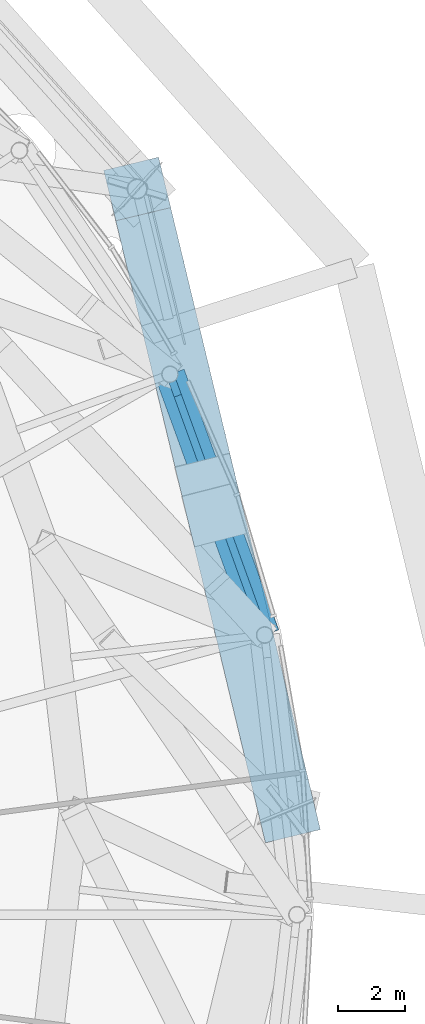
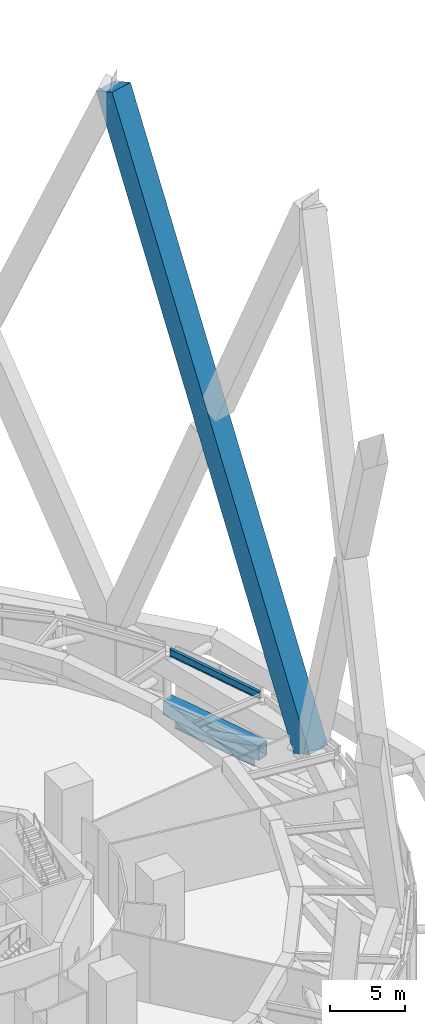
# One storey, part 29 of 51: 3 beams, 1 member.
"""IFC4 building model written with IfcOpenShell, lengths in metres."""

from ifc_helpers import new_model, si_unit, direction, frame, origin, origin_2d, place, context, subcontext, project, spatial, rectangle, hollow_rectangle, i_section, extrude, material, material_profile, profile_set, type_object, element, save


model = new_model("IFC4")

# Units and contexts
model_context = context("Model", 3, precision=1e-05, world=origin(), true_north=direction((0.0, 1.0)))
body_context = subcontext(model_context, "Body", "Model", "MODEL_VIEW")
ifc_project = project(units=[si_unit("LENGTHUNIT", "METRE"), si_unit("AREAUNIT", "SQUARE_METRE"), si_unit("VOLUMEUNIT", "CUBIC_METRE"), si_unit("PLANEANGLEUNIT", "RADIAN"), si_unit("MASSUNIT", "GRAM", prefix="KILO")], contexts=[model_context])

# Site, building, storey
site_placement = place(None, origin())
site = spatial("IfcSite", under=ifc_project, at=site_placement, CompositionType="ELEMENT")
building_placement = place(site_placement, origin())
building = spatial("IfcBuilding", under=site, at=building_placement, Name="Nagisa Residences", CompositionType="ELEMENT")
storey_placement = place(building_placement, frame((0.0, 0.0, 67.699951171875)))
storey = spatial("IfcBuildingStorey", under=building, at=storey_placement, Name="L16", CompositionType="ELEMENT", Elevation=67.699951171875)

# Beam
ifc_material_1 = material(Name="Steel ASTM A572 Gr 50", Category="steel")
ifc_material_profile_1 = material_profile(ifc_material_1, hollow_rectangle(XDim=0.89990234375, YDim=1.199951171875, WallThickness=0.050048828125, at=origin_2d()), Name="BX 900x1200x50")
ifc_profile_set_1 = profile_set([ifc_material_profile_1], Name="Steel ASTM A572 Gr 50")
beam_type_1 = type_object("IfcBeamType", Name="Belt chord 1 BX 900x1200x50", PredefinedType="BEAM", material=ifc_profile_set_1)
beam_1_placement = place(storey_placement, frame((31.12890625, 8.41162109375, 0.60009765625), z_axis=(-0.34140925968, 0.939914739434, 0.0), x_axis=(-0.939914739434, -0.34140925968, 0.0)))
element("IfcBeam", 1, at=beam_1_placement, inside=storey, type_object=beam_type_1, Name="beam:L16:bt1b02", PredefinedType="BEAM", context=body_context, shape_type="SweptSolid", body=[
    extrude(hollow_rectangle(XDim=0.89990234375, YDim=1.199951171875, WallThickness=0.050048828125, at=origin_2d()), origin(), (0.0, 0.0, 1.0), 8.33935546875),
])

# Member
ifc_material_2 = material(Name="Concrete C80", Category="concrete")
ifc_material_profile_2 = material_profile(ifc_material_2, rectangle(XDim=1.699951171875, YDim=1.699951171875, at=origin_2d()), Name="C80 1700x1700")
ifc_profile_set_2 = profile_set([ifc_material_profile_2], Name="Concrete C80")
member_type = type_object("IfcMemberType", Name="Cage diagonal 2 C80 1700x1700", PredefinedType="BRACE", material=ifc_profile_set_2)
member_placement = place(storey_placement, frame((31.794921875, 3.11767578125, 3.699951171875), z_axis=(-0.092833582363, 0.385867430548, 0.917871587984), x_axis=(-0.972258273749, -0.233909916693, 0.0)))
element("IfcMember", 2, at=member_placement, inside=storey, type_object=member_type, Name="mem:L16:cg2d001", PredefinedType="BRACE", context=body_context, shape_type="SweptSolid", body=[
    extrude(rectangle(XDim=1.699951171875, YDim=1.699951171875, at=origin_2d()), origin(), (0.0, 0.0, 1.0), 48.481689453125),
])

# Beams
ifc_material_3 = material(Name="Steel ASTM A572 Gr 50", Category="steel")
ifc_material_profile_3 = material_profile(ifc_material_3, i_section(OverallWidth=0.22802734375, OverallDepth=0.60302734375, WebThickness=0.010498046875, FlangeThickness=0.014892578125, at=origin_2d()), Name="W610x101")
ifc_profile_set_3 = profile_set([ifc_material_profile_3], Name="Steel ASTM A572 Gr 50")
beam_type_2 = type_object("IfcBeamType", Name="Garden edge beam W610x101", PredefinedType="BEAM", material=ifc_profile_set_3)
beam_2_placement = place(storey_placement, frame((31.049072265625, 8.631591796875, 5.03857421875), z_axis=(-0.341424280308, 0.939909283291, 0.0), x_axis=(-0.939909283291, -0.341424280308, 0.0)))
element("IfcBeam", 3, at=beam_2_placement, inside=storey, type_object=beam_type_2, Name="beam:L16:bt1ge02", PredefinedType="BEAM", context=body_context, shape_type="SweptSolid", body=[
    extrude(i_section(OverallWidth=0.22802734375, OverallDepth=0.60302734375, WebThickness=0.010498046875, FlangeThickness=0.014892578125, at=origin_2d()), origin(), (0.0, 0.0, 1.0), 7.871337890625),
])
ifc_material_4 = material(Name="Steel ASTM A572 Gr 50", Category="steel")
ifc_material_profile_4 = material_profile(ifc_material_4, i_section(OverallWidth=0.22900390625, OverallDepth=0.612060546875, WebThickness=0.011962890625, FlangeThickness=0.01953125, at=origin_2d()), Name="W610x125")
ifc_profile_set_4 = profile_set([ifc_material_profile_4], Name="Steel ASTM A572 Gr 50")
beam_type_3 = type_object("IfcBeamType", Name="Perimeter ring beam W610x125", PredefinedType="BEAM", material=ifc_profile_set_4)
beam_3_placement = place(storey_placement, frame((30.89501953125, 9.055419921875, -0.656005859375), z_axis=(-0.341411143183, 0.939914055279, 0.0), x_axis=(-0.939914055279, -0.341411143183, 0.0)))
element("IfcBeam", 4, at=beam_3_placement, inside=storey, type_object=beam_type_3, Name="beam:L16:pb02", PredefinedType="BEAM", context=body_context, shape_type="SweptSolid", body=[
    extrude(i_section(OverallWidth=0.22900390625, OverallDepth=0.612060546875, WebThickness=0.011962890625, FlangeThickness=0.01953125, at=origin_2d()), origin(), (0.0, 0.0, 1.0), 6.96923828125),
])

save(model, "model.ifc")
